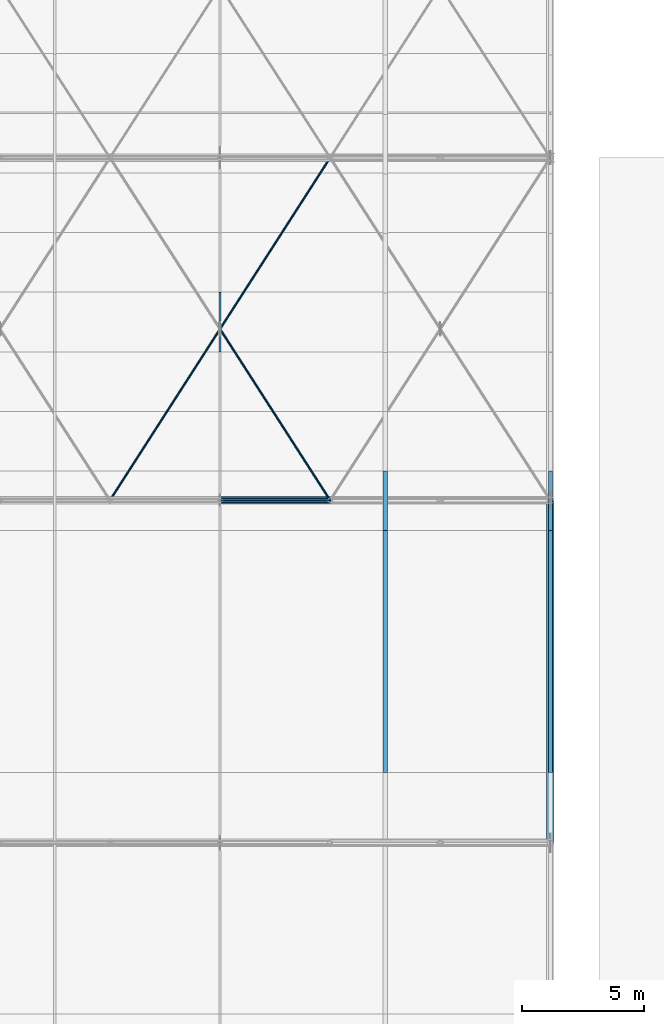
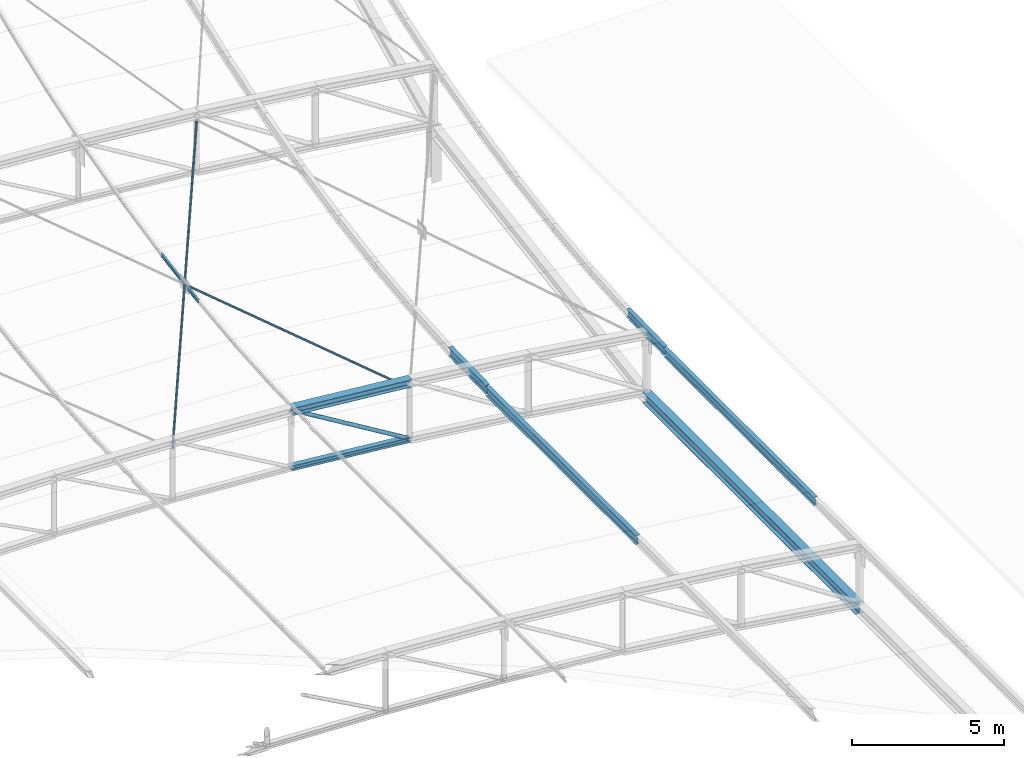
# One storey, part 180 of 262: 10 members, 1 beam.
"""IFC4 building model written with IfcOpenShell, lengths in metres."""

from ifc_helpers import new_model, si_unit, derived_unit, direction, frame, origin, origin_2d, place, context, subcontext, project, spatial, hollow_circle, i_section, extrude, material, material_profile, profile_set, type_object, element, save


model = new_model("IFC4")

# Units and contexts
model_context = context("Model", 3, precision=1e-05, world=origin(), true_north=direction((0.0, 1.0)))
body_context = subcontext(model_context, "Body", "Model", "MODEL_VIEW")
ifc_project = project(units=[si_unit("LENGTHUNIT", "METRE"), si_unit("AREAUNIT", "SQUARE_METRE"), si_unit("VOLUMEUNIT", "CUBIC_METRE"), si_unit("PLANEANGLEUNIT", "RADIAN"), si_unit("MASSUNIT", "GRAM", prefix="KILO"), derived_unit("THERMALTRANSMITTANCEUNIT", [(si_unit("POWERUNIT", "WATT"), 1), (si_unit("LENGTHUNIT", "METRE"), -2), (si_unit("THERMODYNAMICTEMPERATUREUNIT", "KELVIN"), -1)])], contexts=[model_context])

# Site, building, storey
site_placement = place(None, origin())
site = spatial("IfcSite", under=ifc_project, at=site_placement, CompositionType="ELEMENT")
building_placement = place(site_placement, origin())
building = spatial("IfcBuilding", under=site, at=building_placement, Name="Almenara Railside Exhibition Hall", CompositionType="ELEMENT")
storey_placement = place(building_placement, frame((0.0, 0.0, 21.699951171875)))
storey = spatial("IfcBuildingStorey", under=building, at=storey_placement, Name="RF", CompositionType="ELEMENT", Elevation=21.699951171875)

# Members
ifc_material = material(Name="Structural steel S355JR", Category="steel")
ifc_material_profile_1 = material_profile(ifc_material, i_section(OverallWidth=0.300048828125, OverallDepth=0.300048828125, WebThickness=0.010986328125, FlangeThickness=0.01904296875, FilletRadius=0.027099609375, at=origin_2d()), Name="HEB 300")
ifc_profile_set_1 = profile_set([ifc_material_profile_1], Name="Structural steel S355JR")
member_type_1 = type_object("IfcMemberType", Name="Arched Inner Top Chord HEB 300 S355JR", PredefinedType="CHORD", material=ifc_profile_set_1)
member_1_placement = place(storey_placement, frame((178.5, 104.0, -5.63525390625), z_axis=(0.995512933083, 0.0, -0.094625578275), x_axis=(0.0, 1.0, 0.0)))
element("IfcMember", 1, at=member_1_placement, inside=storey, type_object=member_type_1, Name="MEM-TC-V2-05-09", PredefinedType="CHORD", context=body_context, shape_type="SweptSolid", body=[
    extrude(i_section(OverallWidth=0.300048828125, OverallDepth=0.300048828125, WebThickness=0.010986328125, FlangeThickness=0.01904296875, FilletRadius=0.027099609375, at=origin_2d()), origin(), (0.0, 0.0, 1.0), 4.520263671875),
])
ifc_material_profile_2 = material_profile(ifc_material, i_section(OverallWidth=0.199951171875, OverallDepth=0.199951171875, WebThickness=0.009033203125, FlangeThickness=0.014892578125, FilletRadius=0.01806640625, at=origin_2d()), Name="HEB 200")
ifc_profile_set_2 = profile_set([ifc_material_profile_2], Name="Structural steel S355JR")
member_type_2 = type_object("IfcMemberType", Name="Canopy Collar Chord HEB 200 S355JR", PredefinedType="CHORD", material=ifc_profile_set_2)
member_2_placement = place(storey_placement, frame((178.5, 104.0, -7.93505859375), z_axis=(0.995507843872, 0.0, -0.094679104292), x_axis=(0.0, 1.0, 0.0)))
element("IfcMember", 2, at=member_2_placement, inside=storey, type_object=member_type_2, Name="MEM-BC-V2-05-09", PredefinedType="CHORD", context=body_context, shape_type="SweptSolid", body=[
    extrude(i_section(OverallWidth=0.199951171875, OverallDepth=0.199951171875, WebThickness=0.009033203125, FlangeThickness=0.014892578125, FilletRadius=0.01806640625, at=origin_2d()), origin(), (0.0, 0.0, 1.0), 4.520263671875),
])
ifc_material_profile_3 = material_profile(ifc_material, i_section(OverallWidth=0.072998046875, OverallDepth=0.139892578125, WebThickness=0.004638671875, FlangeThickness=0.0068359375, FilletRadius=0.007080078125, at=origin_2d()), Name="IPE 140")
ifc_profile_set_3 = profile_set([ifc_material_profile_3], Name="Structural steel S355JR")
member_type_3 = type_object("IfcMemberType", Name="Canopy Edge Purlin IPE 140 S355JR", PredefinedType="PURLIN", material=ifc_profile_set_3)
member_3_placement = place(storey_placement, frame((178.5, 110.069580078125, -4.968017578125), z_axis=(0.0, 0.986449960692, 0.164062412058), x_axis=(-1.0, 0.0, 0.0)))
element("IfcMember", 3, at=member_3_placement, inside=storey, type_object=member_type_3, Name="MEM-PR-V2-PR-IPE140-06-19", PredefinedType="PURLIN", context=body_context, shape_type="SweptSolid", body=[
    extrude(i_section(OverallWidth=0.072998046875, OverallDepth=0.139892578125, WebThickness=0.004638671875, FlangeThickness=0.0068359375, FilletRadius=0.007080078125, at=origin_2d()), origin(), (0.0, 0.0, 1.0), 2.47021484375),
])
ifc_material_profile_4 = material_profile(ifc_material, hollow_circle(Radius=0.04443359375, WallThickness=0.00390625, at=origin_2d()), Name="CHS 88.9x4")
ifc_profile_set_4 = profile_set([ifc_material_profile_4], Name="Structural steel S355JR")
member_type_4 = type_object("IfcMemberType", Name="Canopy Tie Brace CHS 88.9x4 S355JR", PredefinedType="BRACE", material=ifc_profile_set_4)
member_4_placement = place(storey_placement, frame((174.0, 104.0, -5.609619140625), z_axis=(0.538471072351, 0.837621668102, 0.091863188314), x_axis=(-0.841178475377, 0.540757591313, 0.0)))
element("IfcMember", 4, at=member_4_placement, inside=storey, type_object=member_type_4, Name="MEM-WB-V2-WB-CHS89-05-08-C", PredefinedType="BRACE", context=body_context, shape_type="SweptSolid", body=[
    extrude(hollow_circle(Radius=0.04443359375, WallThickness=0.00390625, at=origin_2d()), origin(), (0.0, 0.0, 1.0), 16.714111328125),
])
member_5_placement = place(storey_placement, frame((183.0, 104.0, -6.343017578125), z_axis=(-0.532157901473, 0.827826991989, 0.177511800268), x_axis=(-0.841186144987, -0.540745660623, 0.0)))
element("IfcMember", 5, at=member_5_placement, inside=storey, type_object=member_type_4, Name="MEM-WB-V2-WB-CHS89-05-08-S1", PredefinedType="BRACE", context=body_context, shape_type="SweptSolid", body=[
    extrude(hollow_circle(Radius=0.04443359375, WallThickness=0.00390625, at=origin_2d()), origin(), (0.0, 0.0, 1.0), 8.407470703125),
])
ifc_material_profile_5 = material_profile(ifc_material, i_section(OverallWidth=0.159912109375, OverallDepth=0.330078125, WebThickness=0.007568359375, FlangeThickness=0.011474609375, FilletRadius=0.01806640625, at=origin_2d()), Name="IPE 330")
ifc_profile_set_5 = profile_set([ifc_material_profile_5], Name="Structural steel S355JR")
member_type_5 = type_object("IfcMemberType", Name="Gable Bay Purlin IPE 330 S355JR", PredefinedType="PURLIN", material=ifc_profile_set_5)
member_6_placement = place(storey_placement, frame((192.0, 92.8798828125, -7.285400390625), z_axis=(0.0, 1.0, 0.0), x_axis=(-1.0, 0.0, 0.0)))
element("IfcMember", 6, at=member_6_placement, inside=storey, type_object=member_type_5, Name="MEM-PR-V2-PR-IPE330-08-15", PredefinedType="PURLIN", context=body_context, shape_type="SweptSolid", body=[
    extrude(i_section(OverallWidth=0.159912109375, OverallDepth=0.330078125, WebThickness=0.007568359375, FlangeThickness=0.011474609375, FilletRadius=0.01806640625, at=origin_2d()), origin(), (0.0, 0.0, 1.0), 9.879638671875),
])
member_7_placement = place(storey_placement, frame((192.0, 102.759521484375, -7.23486328125), z_axis=(0.0, 0.999725289903, 0.023438104182), x_axis=(-1.0, 0.0, 0.0)))
element("IfcMember", 7, at=member_7_placement, inside=storey, type_object=member_type_5, Name="MEM-PR-V2-PR-IPE330-08-16", PredefinedType="PURLIN", context=body_context, shape_type="SweptSolid", body=[
    extrude(i_section(OverallWidth=0.159912109375, OverallDepth=0.330078125, WebThickness=0.007568359375, FlangeThickness=0.011474609375, FilletRadius=0.01806640625, at=origin_2d()), origin(), (0.0, 0.0, 1.0), 2.4375),
])
ifc_material_profile_6 = material_profile(ifc_material, i_section(OverallWidth=0.169921875, OverallDepth=0.360107421875, WebThickness=0.008056640625, FlangeThickness=0.0126953125, FilletRadius=0.01806640625, at=origin_2d()), Name="IPE 360")
ifc_profile_set_6 = profile_set([ifc_material_profile_6], Name="Structural steel S355JR")
member_type_6 = type_object("IfcMemberType", Name="Long-Span Scroll Purlin IPE 360 S355JR", PredefinedType="PURLIN", material=ifc_profile_set_6)
member_8_placement = place(storey_placement, frame((185.25, 92.8798828125, -6.47216796875), z_axis=(0.0, 1.0, 0.0), x_axis=(-1.0, 0.0, 0.0)))
element("IfcMember", 8, at=member_8_placement, inside=storey, type_object=member_type_6, Name="MEM-PR-V2-PR-IPE360-07-15", PredefinedType="PURLIN", context=body_context, shape_type="SweptSolid", body=[
    extrude(i_section(OverallWidth=0.169921875, OverallDepth=0.360107421875, WebThickness=0.008056640625, FlangeThickness=0.0126953125, FilletRadius=0.01806640625, at=origin_2d()), origin(), (0.0, 0.0, 1.0), 9.879638671875),
])
member_9_placement = place(storey_placement, frame((185.25, 102.759521484375, -6.421875), z_axis=(0.0, 0.999725289903, 0.023438104182), x_axis=(-1.0, 0.0, 0.0)))
element("IfcMember", 9, at=member_9_placement, inside=storey, type_object=member_type_6, Name="MEM-PR-V2-PR-IPE360-07-16", PredefinedType="PURLIN", context=body_context, shape_type="SweptSolid", body=[
    extrude(i_section(OverallWidth=0.169921875, OverallDepth=0.360107421875, WebThickness=0.008056640625, FlangeThickness=0.0126953125, FilletRadius=0.01806640625, at=origin_2d()), origin(), (0.0, 0.0, 1.0), 2.4375),
])

# Beam
ifc_material_profile_7 = material_profile(ifc_material, i_section(OverallWidth=0.300048828125, OverallDepth=0.449951171875, WebThickness=0.013916015625, FlangeThickness=0.02587890625, FilletRadius=0.027099609375, at=origin_2d()), Name="HEB 450")
ifc_profile_set_7 = profile_set([ifc_material_profile_7], Name="Structural steel S355JR")
beam_type = type_object("IfcBeamType", Name="Steel Roof Eaves Tie Girder HEB 450 S355JR", PredefinedType="USERDEFINED", material=ifc_profile_set_7)
beam_placement = place(storey_placement, frame((192.0, 90.0, -9.824951171875), z_axis=(0.0, 0.999999434213, 0.001063754978), x_axis=(-1.0, 0.0, 0.0)))
element("IfcBeam", 10, at=beam_placement, inside=storey, type_object=beam_type, Name="Beam 0984", ObjectType="GIRDER", PredefinedType="USERDEFINED", context=body_context, shape_type="SweptSolid", body=[
    extrude(i_section(OverallWidth=0.300048828125, OverallDepth=0.449951171875, WebThickness=0.013916015625, FlangeThickness=0.02587890625, FilletRadius=0.027099609375, at=origin_2d()), origin(), (0.0, 0.0, 1.0), 14.0),
])

# Member
ifc_material_profile_8 = material_profile(ifc_material, hollow_circle(Radius=0.076171875, WallThickness=0.0048828125, at=origin_2d()), Name="CHS 152.4x5")
ifc_profile_set_8 = profile_set([ifc_material_profile_8], Name="Structural steel S355JR")
member_type_7 = type_object("IfcMemberType", Name="Truss Mid Diagonal CHS 152.4x5 S355JR", PredefinedType="BRACE", material=ifc_profile_set_8)
member_10_placement = place(storey_placement, frame((178.5, 104.0, -5.63525390625), z_axis=(0.855154829777, 0.0, -0.518372662386), x_axis=(0.0, 1.0, 0.0)))
element("IfcMember", 11, at=member_10_placement, inside=storey, type_object=member_type_7, Name="MEM-TD-V2-05-09", PredefinedType="BRACE", context=body_context, shape_type="SweptSolid", body=[
    extrude(hollow_circle(Radius=0.076171875, WallThickness=0.0048828125, at=origin_2d()), origin(), (0.0, 0.0, 1.0), 5.26220703125),
])

save(model, "model.ifc")
